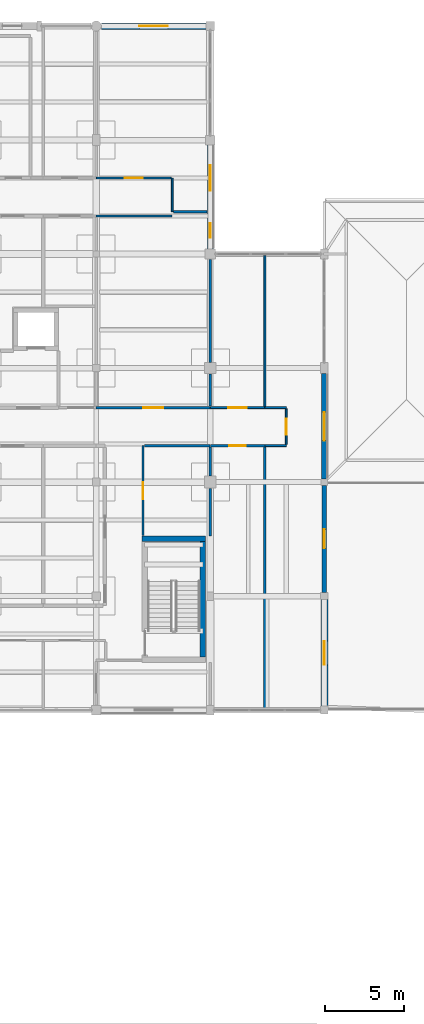
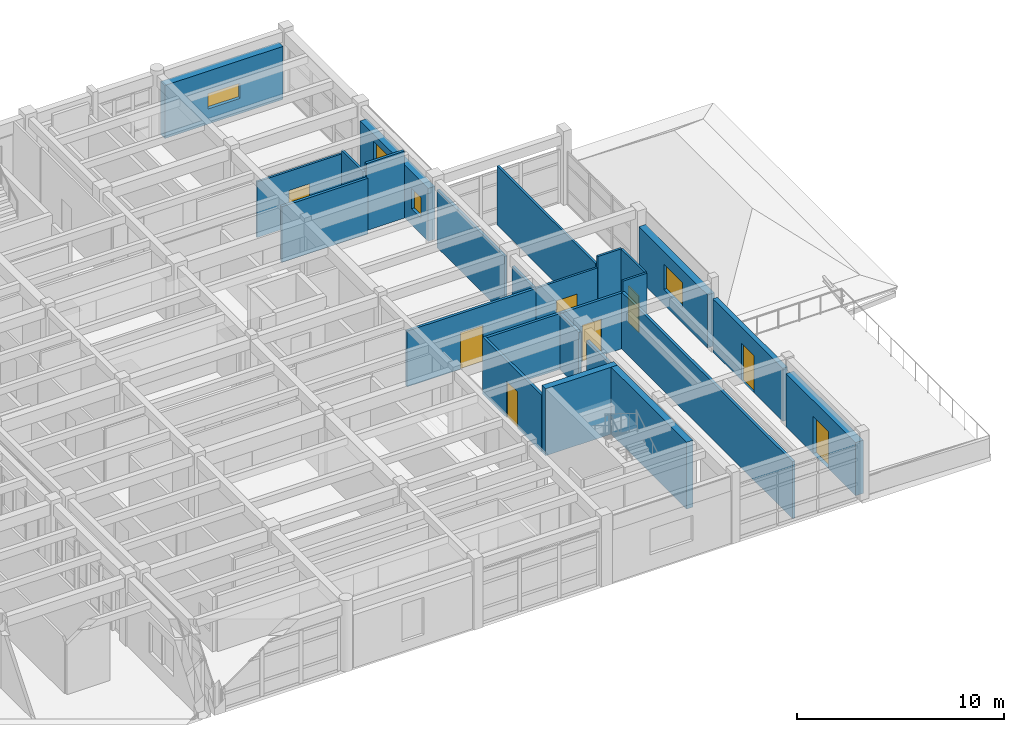
# One storey, part 82 of 100: 25 walls, 8 doors, 4 windows, 12 openings.
"""IFC4 building model written with IfcOpenShell, lengths in metres."""

import ifcopenshell
import ifcopenshell.guid

model = None  # the IFC model being written
_history = None  # IfcOwnerHistory: only IFC2X3 demands one
_inside = {}  # id of a spatial element -> (the spatial element, [elements in it])
_under = {}  # id of a project, library or spatial element -> (it, [spatial elements below it])
_declared = {}  # id of a project -> (the project, [libraries it declares])
_typed = {}  # id of a type object -> (the type object, [elements of that type])
_made_of = {}  # id of a material, layer set ... -> (it, [elements and type objects made of it])


def new_model(schema):
    """Start an empty IFC model of exactly this schema.

    Asked for "IFC4X3", IfcOpenShell would pick the latest addendum, in which some entities
    have other attributes; the version numbers below select the first issue.
    IFC2X3 requires an IfcOwnerHistory on every rooted entity: one is made here for all.
    """
    global model, _history
    if schema == "IFC4X3":
        model = ifcopenshell.file(schema_version=(4, 3, 0, 0))
    else:
        model = ifcopenshell.file(schema=schema)
    _inside.clear()
    _under.clear()
    _declared.clear()
    _typed.clear()
    _made_of.clear()
    _history = None
    if model.schema == "IFC2X3":
        org = make("IfcOrganization", Name="unknown")
        user = make(
            "IfcPersonAndOrganization",
            ThePerson=make("IfcPerson", FamilyName="unknown"),
            TheOrganization=org,
        )
        app = make(
            "IfcApplication",
            ApplicationDeveloper=org,
            Version="unknown",
            ApplicationFullName="unknown",
            ApplicationIdentifier="unknown",
        )
        _history = make(
            "IfcOwnerHistory",
            OwningUser=user,
            OwningApplication=app,
            ChangeAction="ADDED",
            CreationDate=0,
        )
    return model


def make(cls, **values):
    """One entity of the class cls with the attributes given. An attribute that is None is left unset."""
    return model.create_entity(
        cls, **{name: value for name, value in values.items() if value is not None}
    )


def rooted(cls, **values):
    """An entity with a GlobalId (a new one), such as an element, a storey or a relation."""
    return make(cls, GlobalId=ifcopenshell.guid.new(), OwnerHistory=_history, **values)


def si_unit(unit_type, name, prefix=None):
    """IfcSIUnit, for example si_unit("LENGTHUNIT", "METRE", prefix="MILLI")."""
    return make("IfcSIUnit", UnitType=unit_type, Prefix=prefix, Name=name)


def assignment(units):
    """IfcUnitAssignment: the units of a project."""
    return None if units is None else make("IfcUnitAssignment", Units=units)


def point(xyz):
    """IfcCartesianPoint."""
    return None if xyz is None else make("IfcCartesianPoint", Coordinates=xyz)


def direction(xyz):
    """IfcDirection."""
    return None if xyz is None else make("IfcDirection", DirectionRatios=xyz)


def frame(location, z_axis=None, x_axis=None):
    """IfcAxis2Placement3D, a coordinate frame: its origin and axes. An axis left out is left unset."""
    return make(
        "IfcAxis2Placement3D",
        Location=point(location),
        Axis=direction(z_axis),
        RefDirection=direction(x_axis),
    )


def frame_2d(location, x_axis=None):
    """IfcAxis2Placement2D, a coordinate frame in the plane: its origin and x axis."""
    return make(
        "IfcAxis2Placement2D", Location=point(location), RefDirection=direction(x_axis)
    )


def origin():
    """The frame at (0, 0, 0) with its axes left unset."""
    return frame((0.0, 0.0, 0.0))


def place(relative_to, where):
    """IfcLocalPlacement: puts the frame where relative to a parent placement (None: the world)."""
    return make(
        "IfcLocalPlacement", PlacementRelTo=relative_to, RelativePlacement=where
    )


def context(
    kind, dimensions, precision=None, world=None, true_north=None, identifier=None
):
    """IfcGeometricRepresentationContext, for example the 3D "Model" context."""
    return make(
        "IfcGeometricRepresentationContext",
        ContextIdentifier=identifier,
        ContextType=kind,
        CoordinateSpaceDimension=dimensions,
        Precision=precision,
        WorldCoordinateSystem=world,
        TrueNorth=true_north,
    )


def subcontext(parent, identifier, kind, view, scale=None):
    """IfcGeometricRepresentationSubContext, for example "Body" below "Model"."""
    return make(
        "IfcGeometricRepresentationSubContext",
        ContextIdentifier=identifier,
        ContextType=kind,
        ParentContext=parent,
        TargetScale=scale,
        TargetView=view,
    )


def project(units=None, contexts=None):
    """IfcProject with its units and contexts."""
    return rooted(
        "IfcProject",
        Name="project",
        RepresentationContexts=contexts,
        UnitsInContext=assignment(units),
    )


def spatial(cls, under=None, at=None, **own):
    """A site, building, storey or space (cls), placed at a placement, below another one or the project."""
    s = rooted(cls, ObjectPlacement=at, **own)
    if under is not None:
        _under.setdefault(under.id(), (under, []))[1].append(s)
    return s


def profile(cls, at=None, kind="AREA", **sizes):
    """A parametric profile (cls). Its sizes go by their IFC names, for example OverallWidth=200.0."""
    return make(cls, ProfileType=kind, Position=at, **sizes)


def rectangle(**sizes):
    """IfcRectangleProfileDef."""
    return profile("IfcRectangleProfileDef", **sizes)


def extrude(swept, where, along, depth):
    """IfcExtrudedAreaSolid: the profile swept, set in the frame where, extruded along a direction by depth."""
    return make(
        "IfcExtrudedAreaSolid",
        SweptArea=swept,
        Position=where,
        ExtrudedDirection=direction(along),
        Depth=depth,
    )


def shape(context_of_items, identifier, shape_type, items):
    """IfcShapeRepresentation: the items that make up one representation, for example the "Body"."""
    return make(
        "IfcShapeRepresentation",
        ContextOfItems=context_of_items,
        RepresentationIdentifier=identifier,
        RepresentationType=shape_type,
        Items=items,
    )


def material(Name=None, Category=None):
    """IfcMaterial."""
    return make("IfcMaterial", Name=Name, Category=Category)


def layer(
    of_material, thickness, ventilated=None, Name=None, Category=None, Priority=None
):
    """IfcMaterialLayer: one layer of a wall or slab, of a material (None: an air gap)."""
    return make(
        "IfcMaterialLayer",
        Material=of_material,
        LayerThickness=thickness,
        IsVentilated=ventilated,
        Name=Name,
        Category=Category,
        Priority=Priority,
    )


def layer_set(layers, Name=None):
    """IfcMaterialLayerSet."""
    return make("IfcMaterialLayerSet", MaterialLayers=layers, LayerSetName=Name)


def made_of(thing, what):
    """Note that an element or type object is made of a material, layer set ...; save() writes the relation."""
    if what is not None:
        _made_of.setdefault(what.id(), (what, []))[1].append(thing)
    return thing


def type_object(cls, material=None, **own):
    """A type object (cls), such as IfcWallType, which elements share."""
    return made_of(rooted(cls, **own), material)


def element(
    cls,
    number,
    at=None,
    inside=None,
    cuts=None,
    type_object=None,
    material=None,
    context=None,
    identifier="Body",
    shape_type=None,
    held_by="IfcProductDefinitionShape",
    body=None,
    shapes=None,
    **own,
):
    """One element of the class cls, such as IfcWall. Its Tag is "e" and its number.

    at: its placement. inside: the storey or other place that contains it. cuts: it is an
    opening in that element (IfcRelVoidsElement). A single representation is given by context,
    identifier, shape_type and body (its items); several are given by shapes. held_by: the class
    of the entity that holds the representations. save() writes the other relations.
    """
    e = rooted(cls, Tag="e%d" % number, ObjectPlacement=at, **own)
    if body is not None:
        shapes = [shape(context, identifier, shape_type, body)]
    if shapes is not None:
        e.Representation = make(held_by, Representations=shapes)
    if inside is not None:
        _inside.setdefault(inside.id(), (inside, []))[1].append(e)
    if cuts is not None:
        rooted(
            "IfcRelVoidsElement", RelatingBuildingElement=cuts, RelatedOpeningElement=e
        )
    if type_object is not None:
        _typed.setdefault(type_object.id(), (type_object, []))[1].append(e)
    return made_of(e, material)


def fill(opening, filler):
    """IfcRelFillsElement: the door or window that sits in an opening."""
    return rooted(
        "IfcRelFillsElement",
        RelatingOpeningElement=opening,
        RelatedBuildingElement=filler,
    )


def aggregate(whole, parts):
    """IfcRelAggregates: a whole, such as a stair, and the parts it consists of."""
    return rooted("IfcRelAggregates", RelatingObject=whole, RelatedObjects=parts)


def save(model, path):
    """Write the relations noted so far, then the file.

    IfcRelAggregates (storeys below a building ...), IfcRelContainedInSpatialStructure (elements
    in a storey), IfcRelDefinesByType, IfcRelAssociatesMaterial and IfcRelDeclares: one each for
    every whole, place, type object, material and project.
    """
    for whole, parts in _under.values():
        aggregate(whole, parts)
    for where, things in _inside.values():
        rooted(
            "IfcRelContainedInSpatialStructure",
            RelatedElements=things,
            RelatingStructure=where,
        )
    for kind, things in _typed.values():
        rooted("IfcRelDefinesByType", RelatedObjects=things, RelatingType=kind)
    for what, things in _made_of.values():
        rooted("IfcRelAssociatesMaterial", RelatedObjects=things, RelatingMaterial=what)
    for by, libraries in _declared.values():
        rooted("IfcRelDeclares", RelatingContext=by, RelatedDefinitions=libraries)
    model.write(path)


model = new_model("IFC4")

# Units and contexts
model_context = context("Model", 3, precision=1e-05, world=origin(), true_north=direction((0.0, 1.0)))
body_context = subcontext(model_context, "Body", "Model", "MODEL_VIEW")
ifc_project = project(units=[si_unit("LENGTHUNIT", "METRE"), si_unit("AREAUNIT", "SQUARE_METRE"), si_unit("VOLUMEUNIT", "CUBIC_METRE"), si_unit("PLANEANGLEUNIT", "RADIAN"), si_unit("MASSUNIT", "GRAM", prefix="KILO")], contexts=[model_context])

# Site, building, storey
site_placement = place(None, origin())
site = spatial("IfcSite", under=ifc_project, at=site_placement, CompositionType="ELEMENT")
building_placement = place(site_placement, origin())
building = spatial("IfcBuilding", under=site, at=building_placement, Name="Steenspoor Specialist Clinic", CompositionType="ELEMENT")
storey_placement = place(building_placement, frame((0.0, 0.0, 9.0)))
storey = spatial("IfcBuildingStorey", under=building, at=storey_placement, Name="L02", CompositionType="ELEMENT", Elevation=9.0)

# Wall, opening, window
ifc_material_1 = material(Name="Extruded clay brick masonry", Category="masonry")
ifc_layer_1 = layer(ifc_material_1, 0.3798828125)
ifc_layer_set_1 = layer_set([ifc_layer_1], Name="Extruded clay brick masonry")
wall_type_1 = type_object("IfcWallType", Name="W-BRICK-380", PredefinedType="USERDEFINED", material=ifc_layer_set_1)
wall_1_placement = place(storey_placement, frame((154.0, 86.39990234375, 0.0), z_axis=(0.0, 0.0, 1.0), x_axis=(0.0, -1.0, 0.0)))
wall_1 = element("IfcWall", 1, at=wall_1_placement, inside=storey, type_object=wall_type_1, Name="Exterior Brick Wall EW-V6-L02-0324", ObjectType="CAVITY VENEER", PredefinedType="USERDEFINED", context=body_context, shape_type="SweptSolid", body=[
    extrude(rectangle(XDim=6.64990234375, YDim=0.3798828125, at=frame_2d((3.324951171875, 0.0))), origin(), (0.0, 0.0, 1.0), 3.1298828125),
])
opening_1_placement = place(wall_1_placement, frame((2.425048828125, 0.0, 0.89990234375)))
opening_1 = element("IfcOpeningElement", 2, at=opening_1_placement, cuts=wall_1, Name="Opening WN-13", PredefinedType="OPENING", context=body_context, shape_type="SweptSolid", body=[
    extrude(rectangle(XDim=1.800048828125, YDim=1.5, at=frame_2d((0.89990234375, 0.75))), frame((0.0, 0.199951171875, 0.0), z_axis=(0.0, -1.0, 0.0), x_axis=(1.0, 0.0, 0.0)), (0.0, 0.0, 1.0), 0.39990234375),
])
ifc_material_2 = material(Name="Thermally broken aluminium and low-emissivity glass", Category="aluminium")
window_type_1 = type_object("IfcWindowType", Name="WN-EXT-180X150", PartitioningType="SINGLE_PANEL", PredefinedType="WINDOW", material=ifc_material_2)
window_1_placement = place(opening_1_placement, origin())
window_1 = element("IfcWindow", 3, at=window_1_placement, inside=storey, type_object=window_type_1, Name="Window 0347", OverallHeight=1.5, OverallWidth=1.800048828125, PartitioningType="SINGLE_PANEL", PredefinedType="WINDOW", context=body_context, shape_type="SweptSolid", body=[
    extrude(rectangle(XDim=1.800048828125, YDim=1.5, at=frame_2d((0.89990234375, 0.75))), frame((0.0, 0.030029296875, 0.0), z_axis=(0.0, -1.0, 0.0), x_axis=(1.0, 0.0, 0.0)), (0.0, 0.0, 1.0), 0.06005859375),
])
fill(opening_1, window_1)

# Wall, openings, windows
wall_2_placement = place(storey_placement, frame((146.800048828125, 100.85009765625, 0.0), z_axis=(0.0, 0.0, 1.0), x_axis=(0.0, -1.0, 0.0)))
wall_2 = element("IfcWall", 4, at=wall_2_placement, inside=storey, type_object=wall_type_1, Name="Exterior Brick Wall EW-V6-L02-0336", ObjectType="CAVITY VENEER", PredefinedType="USERDEFINED", context=body_context, shape_type="SweptSolid", body=[
    extrude(rectangle(XDim=6.5751953125, YDim=0.3798828125, at=frame_2d((3.28759765625, 0.0))), origin(), (0.0, 0.0, 1.0), 3.1298828125),
])
opening_2_placement = place(wall_2_placement, frame((1.300048828125, 0.0, 0.89990234375)))
opening_2 = element("IfcOpeningElement", 5, at=opening_2_placement, cuts=wall_2, Name="Opening WN-07", PredefinedType="OPENING", context=body_context, shape_type="SweptSolid", body=[
    extrude(rectangle(XDim=1.60009765625, YDim=1.800048828125, at=frame_2d((0.800048828125, 0.89990234375))), frame((0.0, 0.199951171875, 0.0), z_axis=(0.0, -1.0, 0.0), x_axis=(1.0, 0.0, 0.0)), (0.0, 0.0, 1.0), 0.39990234375),
])
opening_3_placement = place(wall_2_placement, frame((4.95751953125, 0.0, 0.949951171875)))
opening_3 = element("IfcOpeningElement", 6, at=opening_3_placement, cuts=wall_2, Name="Opening WN-21", PredefinedType="OPENING", context=body_context, shape_type="SweptSolid", body=[
    extrude(rectangle(XDim=0.89990234375, YDim=1.199951171875, at=frame_2d((0.449951171875, 0.60009765625))), frame((0.0, 0.199951171875, 0.0), z_axis=(0.0, -1.0, 0.0), x_axis=(1.0, 0.0, 0.0)), (0.0, 0.0, 1.0), 0.39990234375),
])
window_type_2 = type_object("IfcWindowType", Name="WN-EXT-090X120", PartitioningType="SINGLE_PANEL", PredefinedType="WINDOW", material=ifc_material_2)
window_2_placement = place(opening_3_placement, origin())
window_2 = element("IfcWindow", 7, at=window_2_placement, inside=storey, type_object=window_type_2, Name="Window 0358", OverallHeight=1.199951171875, OverallWidth=0.89990234375, PartitioningType="SINGLE_PANEL", PredefinedType="WINDOW", context=body_context, shape_type="SweptSolid", body=[
    extrude(rectangle(XDim=0.89990234375, YDim=1.199951171875, at=frame_2d((0.449951171875, 0.60009765625))), frame((0.0, 0.030029296875, 0.0), z_axis=(0.0, -1.0, 0.0), x_axis=(1.0, 0.0, 0.0)), (0.0, 0.0, 1.0), 0.06005859375),
])
fill(opening_3, window_2)
window_type_3 = type_object("IfcWindowType", Name="WN-EXT-160X180", PartitioningType="SINGLE_PANEL", PredefinedType="WINDOW", material=ifc_material_2)
window_3_placement = place(opening_2_placement, origin())
window_3 = element("IfcWindow", 8, at=window_3_placement, inside=storey, type_object=window_type_3, Name="Window 0357", OverallHeight=1.800048828125, OverallWidth=1.60009765625, PartitioningType="SINGLE_PANEL", PredefinedType="WINDOW", context=body_context, shape_type="SweptSolid", body=[
    extrude(rectangle(XDim=1.60009765625, YDim=1.800048828125, at=frame_2d((0.800048828125, 0.89990234375))), frame((0.0, 0.030029296875, 0.0), z_axis=(0.0, -1.0, 0.0), x_axis=(1.0, 0.0, 0.0)), (0.0, 0.0, 1.0), 0.06005859375),
])
fill(opening_2, window_3)

# Wall, opening, window
ifc_layer_2 = layer(ifc_material_1, 0.409912109375)
ifc_layer_set_2 = layer_set([ifc_layer_2], Name="Extruded clay brick masonry")
wall_type_2 = type_object("IfcWallType", Name="W-BRICK-410", PredefinedType="USERDEFINED", material=ifc_layer_set_2)
wall_3_placement = place(storey_placement, frame((139.925048828125, 108.35009765625, 0.0), z_axis=(0.0, 0.0, 1.0), x_axis=(1.0, 0.0, 0.0)))
wall_3 = element("IfcWall", 9, at=wall_3_placement, inside=storey, type_object=wall_type_2, Name="Exterior Brick Wall EW-V6-L02-0335", ObjectType="CAVITY VENEER", PredefinedType="USERDEFINED", context=body_context, shape_type="SweptSolid", body=[
    extrude(rectangle(XDim=6.599853515625, YDim=0.409912109375, at=frame_2d((3.2998046875, 0.0))), origin(), (0.0, 0.0, 1.0), 3.1298828125),
])
opening_4_placement = place(wall_3_placement, frame((2.39990234375, 0.0, 0.89990234375)))
opening_4 = element("IfcOpeningElement", 10, at=opening_4_placement, cuts=wall_3, Name="Opening WN-22", PredefinedType="OPENING", context=body_context, shape_type="SweptSolid", body=[
    extrude(rectangle(XDim=1.800048828125, YDim=0.89990234375, at=frame_2d((0.89990234375, 0.449951171875))), frame((0.0, 0.21484375, 0.0), z_axis=(0.0, -1.0, 0.0), x_axis=(1.0, 0.0, 0.0)), (0.0, 0.0, 1.0), 0.429931640625),
])
window_type_4 = type_object("IfcWindowType", Name="WN-EXT-180X090", PartitioningType="SINGLE_PANEL", PredefinedType="WINDOW", material=ifc_material_2)
window_4_placement = place(opening_4_placement, origin())
window_4 = element("IfcWindow", 11, at=window_4_placement, inside=storey, type_object=window_type_4, Name="Window 0356", OverallHeight=0.89990234375, OverallWidth=1.800048828125, PartitioningType="SINGLE_PANEL", PredefinedType="WINDOW", context=body_context, shape_type="SweptSolid", body=[
    extrude(rectangle(XDim=1.800048828125, YDim=0.89990234375, at=frame_2d((0.89990234375, 0.449951171875))), frame((0.0, 0.030029296875, 0.0), z_axis=(0.0, -1.0, 0.0), x_axis=(1.0, 0.0, 0.0)), (0.0, 0.0, 1.0), 0.06005859375),
])
fill(opening_4, window_4)

# Wall, opening, door
ifc_layer_3 = layer(ifc_material_1, 0.43994140625)
ifc_layer_set_3 = layer_set([ifc_layer_3], Name="Extruded clay brick masonry")
wall_type_3 = type_object("IfcWallType", Name="W-BRICK-440", PredefinedType="USERDEFINED", material=ifc_layer_set_3)
wall_4_placement = place(storey_placement, frame((154.0, 72.125, 0.0), z_axis=(0.0, 0.0, 1.0), x_axis=(0.0, -1.0, 0.0)))
wall_4 = element("IfcWall", 12, at=wall_4_placement, inside=storey, type_object=wall_type_3, Name="Exterior Brick Wall EW-V6-L02-0326", ObjectType="CAVITY VENEER", PredefinedType="USERDEFINED", context=body_context, shape_type="SweptSolid", body=[
    extrude(rectangle(XDim=6.72509765625, YDim=0.43994140625, at=frame_2d((3.362548828125, 0.0))), origin(), (0.0, 0.0, 1.0), 3.1298828125),
])
opening_5_placement = place(wall_4_placement, frame((2.612548828125, 0.0, 0.0)))
opening_5 = element("IfcOpeningElement", 13, at=opening_5_placement, cuts=wall_4, Name="Opening ED41", PredefinedType="OPENING", context=body_context, shape_type="SweptSolid", body=[
    extrude(rectangle(XDim=1.5, YDim=2.199951171875, at=frame_2d((0.75, 1.10009765625))), frame((0.0, 0.22998046875, 0.0), z_axis=(0.0, -1.0, 0.0), x_axis=(1.0, 0.0, 0.0)), (0.0, 0.0, 1.0), 0.4599609375),
])
ifc_material_3 = material(Name="Anodised aluminium and safety glass", Category="aluminium")
door_type_1 = type_object("IfcDoorType", Name="DT-TERR-150X220", OperationType="NOTDEFINED", PredefinedType="DOOR", material=ifc_material_3)
door_1_placement = place(opening_5_placement, origin())
door_1 = element("IfcDoor", 14, at=door_1_placement, inside=storey, type_object=door_type_1, Name="Roof Terrace Door ED41", OperationType="SINGLE_SWING_RIGHT", OverallHeight=2.199951171875, OverallWidth=1.5, PredefinedType="DOOR", context=body_context, shape_type="SweptSolid", body=[
    extrude(rectangle(XDim=1.5, YDim=2.199951171875, at=frame_2d((0.75, 1.10009765625))), frame((0.0, 0.02490234375, 0.0), z_axis=(0.0, -1.0, 0.0), x_axis=(1.0, 0.0, 0.0)), (0.0, 0.0, 1.0), 0.050048828125),
])
fill(opening_5, door_1)

ifc_material_4 = material(Name="Gypsum acoustic clinical partition", Category="gypsum")
ifc_layer_4 = layer(ifc_material_4, 0.14990234375)
ifc_layer_set_4 = layer_set([ifc_layer_4], Name="Gypsum acoustic clinical partition")
wall_type_4 = type_object("IfcWallType", Name="W-CLIN-150", PredefinedType="PARTITIONING", material=ifc_layer_set_4)
wall_5_placement = place(storey_placement, frame((146.800048828125, 81.85009765625, 0.0), z_axis=(0.0, 0.0, 1.0), x_axis=(1.0, 0.0, 0.0)))
wall_5 = element("IfcWall", 15, at=wall_5_placement, inside=storey, type_object=wall_type_4, Name="Interior Partition IW-V6-L02-1365", PredefinedType="PARTITIONING", context=body_context, shape_type="SweptSolid", body=[
    extrude(rectangle(XDim=3.449951171875, YDim=0.14990234375, at=frame_2d((1.72509765625, 0.0))), origin(), (0.0, 0.0, 1.0), 3.284912109375),
])
opening_6_placement = place(wall_5_placement, frame((1.199951171875, 0.0, 0.0)))
opening_6 = element("IfcOpeningElement", 16, at=opening_6_placement, cuts=wall_5, Name="Opening D0460", PredefinedType="OPENING", context=body_context, shape_type="SweptSolid", body=[
    extrude(rectangle(XDim=1.050048828125, YDim=2.14990234375, at=frame_2d((0.52490234375, 1.074951171875))), frame((0.0, 0.0849609375, 0.0), z_axis=(0.0, -1.0, 0.0), x_axis=(1.0, 0.0, 0.0)), (0.0, 0.0, 1.0), 0.169921875),
])
ifc_material_5 = material(Name="Solid-core hardwood office door", Category="wood")
door_type_2 = type_object("IfcDoorType", Name="DT-OFF-105X215", OperationType="NOTDEFINED", PredefinedType="DOOR", material=ifc_material_5)
door_2_placement = place(opening_6_placement, origin())
door_2 = element("IfcDoor", 17, at=door_2_placement, inside=storey, type_object=door_type_2, Name="Clinical Door D0460", OperationType="SINGLE_SWING_LEFT", OverallHeight=2.14990234375, OverallWidth=1.050048828125, PredefinedType="DOOR", context=body_context, shape_type="SweptSolid", body=[
    extrude(rectangle(XDim=1.050048828125, YDim=2.14990234375, at=frame_2d((0.52490234375, 1.074951171875))), frame((0.0, 0.02490234375, 0.0), z_axis=(0.0, -1.0, 0.0), x_axis=(1.0, 0.0, 0.0)), (0.0, 0.0, 1.0), 0.050048828125),
])
fill(opening_6, door_2)

wall_6_placement = place(storey_placement, frame((142.550048828125, 76.1650390625, 0.0), z_axis=(0.0, 0.0, 1.0), x_axis=(0.0, 1.0, 0.0)))
wall_6 = element("IfcWall", 18, at=wall_6_placement, inside=storey, type_object=wall_type_4, Name="Interior Partition IW-V6-L02-1369", PredefinedType="PARTITIONING", context=body_context, shape_type="SweptSolid", body=[
    extrude(rectangle(XDim=5.68505859375, YDim=0.14990234375, at=frame_2d((2.842529296875, 0.0))), origin(), (0.0, 0.0, 1.0), 3.35498046875),
])
opening_7_placement = place(wall_6_placement, frame((2.3173828125, 0.0, 0.0)))
opening_7 = element("IfcOpeningElement", 19, at=opening_7_placement, cuts=wall_6, Name="Opening D0466", PredefinedType="OPENING", context=body_context, shape_type="SweptSolid", body=[
    extrude(rectangle(XDim=1.050048828125, YDim=2.14990234375, at=frame_2d((0.52490234375, 1.074951171875))), frame((0.0, 0.0849609375, 0.0), z_axis=(0.0, -1.0, 0.0), x_axis=(1.0, 0.0, 0.0)), (0.0, 0.0, 1.0), 0.169921875),
])
door_3_placement = place(opening_7_placement, origin())
door_3 = element("IfcDoor", 20, at=door_3_placement, inside=storey, type_object=door_type_2, Name="Clinical Door D0466", OperationType="SINGLE_SWING_LEFT", OverallHeight=2.14990234375, OverallWidth=1.050048828125, PredefinedType="DOOR", context=body_context, shape_type="SweptSolid", body=[
    extrude(rectangle(XDim=1.050048828125, YDim=2.14990234375, at=frame_2d((0.52490234375, 1.074951171875))), frame((0.0, 0.02490234375, 0.0), z_axis=(0.0, -1.0, 0.0), x_axis=(1.0, 0.0, 0.0)), (0.0, 0.0, 1.0), 0.050048828125),
])
fill(opening_7, door_3)

# Wall
wall_7_placement = place(storey_placement, frame((142.639892578125, 81.85009765625, 0.0), z_axis=(0.0, 0.0, 1.0), x_axis=(1.0, 0.0, 0.0)))
element("IfcWall", 21, at=wall_7_placement, inside=storey, type_object=wall_type_4, Name="Interior Partition IW-V6-L02-1370", PredefinedType="PARTITIONING", context=body_context, shape_type="SweptSolid", body=[
    extrude(rectangle(XDim=4.14501953125, YDim=0.14990234375, at=frame_2d((2.072509765625, 0.0))), origin(), (0.0, 0.0, 1.0), 3.284912109375),
])

# Wall, opening, door
wall_8_placement = place(storey_placement, frame((139.60009765625, 84.25, 0.0), z_axis=(0.0, 0.0, 1.0), x_axis=(1.0, 0.0, 0.0)))
wall_8 = element("IfcWall", 22, at=wall_8_placement, inside=storey, type_object=wall_type_4, Name="Interior Partition IW-V6-L02-1373", PredefinedType="PARTITIONING", context=body_context, shape_type="SweptSolid", body=[
    extrude(rectangle(XDim=7.199951171875, YDim=0.14990234375, at=frame_2d((3.60009765625, 0.0))), origin(), (0.0, 0.0, 1.0), 3.284912109375),
])
opening_8_placement = place(wall_8_placement, frame((2.97509765625, 0.0, 0.0)))
opening_8 = element("IfcOpeningElement", 23, at=opening_8_placement, cuts=wall_8, Name="Opening D0470", PredefinedType="OPENING", context=body_context, shape_type="SweptSolid", body=[
    extrude(rectangle(XDim=1.25, YDim=2.14990234375, at=frame_2d((0.625, 1.074951171875))), frame((0.0, 0.0849609375, 0.0), z_axis=(0.0, -1.0, 0.0), x_axis=(1.0, 0.0, 0.0)), (0.0, 0.0, 1.0), 0.169921875),
])
ifc_material_6 = material(Name="Hygienic HPL clinical timber door", Category="wood")
door_type_3 = type_object("IfcDoorType", Name="DT-EXAM-125X215", OperationType="NOTDEFINED", PredefinedType="DOOR", material=ifc_material_6)
door_4_placement = place(opening_8_placement, origin())
door_4 = element("IfcDoor", 24, at=door_4_placement, inside=storey, type_object=door_type_3, Name="Clinical Door D0470", OperationType="SINGLE_SWING_LEFT", OverallHeight=2.14990234375, OverallWidth=1.25, PredefinedType="DOOR", context=body_context, shape_type="SweptSolid", body=[
    extrude(rectangle(XDim=1.25, YDim=2.14990234375, at=frame_2d((0.625, 1.074951171875))), frame((0.0, 0.02490234375, 0.0), z_axis=(0.0, -1.0, 0.0), x_axis=(1.0, 0.0, 0.0)), (0.0, 0.0, 1.0), 0.050048828125),
])
fill(opening_8, door_4)

# Walls
wall_9_placement = place(storey_placement, frame((139.60009765625, 96.35009765625, 0.0), z_axis=(0.0, 0.0, 1.0), x_axis=(1.0, 0.0, 0.0)))
element("IfcWall", 25, at=wall_9_placement, inside=storey, type_object=wall_type_4, Name="Interior Partition IW-V6-L02-1374", PredefinedType="PARTITIONING", context=body_context, shape_type="SweptSolid", body=[
    extrude(rectangle(XDim=4.7998046875, YDim=0.14990234375, at=frame_2d((2.39990234375, 0.0))), origin(), (0.0, 0.0, 1.0), 3.284912109375),
])
wall_10_placement = place(storey_placement, frame((150.25, 65.2548828125, 0.0), z_axis=(0.0, 0.0, 1.0), x_axis=(0.0, 1.0, 0.0)))
element("IfcWall", 26, at=wall_10_placement, inside=storey, type_object=wall_type_4, Name="Interior Partition IW-V6-L02-1487", PredefinedType="PARTITIONING", context=body_context, shape_type="SweptSolid", body=[
    extrude(rectangle(XDim=16.505126953125, YDim=0.14990234375, at=frame_2d((8.25244140625, 0.0))), origin(), (0.0, 0.0, 1.0), 3.35498046875),
])
wall_11_placement = place(storey_placement, frame((146.800048828125, 76.14990234375, 0.0), z_axis=(0.0, 0.0, 1.0), x_axis=(0.0, 1.0, 0.0)))
element("IfcWall", 27, at=wall_11_placement, inside=storey, type_object=wall_type_4, Name="Interior Partition IW-V6-L02-1488", PredefinedType="PARTITIONING", context=body_context, shape_type="SweptSolid", body=[
    extrude(rectangle(XDim=3.010009765625, YDim=0.14990234375, at=frame_2d((1.5048828125, 0.0))), origin(), (0.0, 0.0, 1.0), 3.284912109375),
])
wall_12_placement = place(storey_placement, frame((146.800048828125, 79.93994140625, 0.0), z_axis=(0.0, 0.0, 1.0), x_axis=(0.0, 1.0, 0.0)))
element("IfcWall", 28, at=wall_12_placement, inside=storey, type_object=wall_type_4, Name="Interior Partition IW-V6-L02-1489", PredefinedType="PARTITIONING", context=body_context, shape_type="SweptSolid", body=[
    extrude(rectangle(XDim=1.820068359375, YDim=0.14990234375, at=frame_2d((0.91015625, 0.0))), origin(), (0.0, 0.0, 1.0), 3.284912109375),
])
wall_13_placement = place(storey_placement, frame((144.47509765625, 96.6298828125, 0.0), z_axis=(0.0, 0.0, 1.0), x_axis=(1.0, 0.0, 0.0)))
element("IfcWall", 29, at=wall_13_placement, inside=storey, type_object=wall_type_4, Name="Interior Partition IW-V6-L02-1499", PredefinedType="PARTITIONING", context=body_context, shape_type="SweptSolid", body=[
    extrude(rectangle(XDim=2.119873046875, YDim=0.14990234375, at=frame_2d((1.06005859375, 0.0))), origin(), (0.0, 0.0, 1.0), 3.949951171875),
])
wall_14_placement = place(storey_placement, frame((146.800048828125, 84.340087890625, 0.0), z_axis=(0.0, 0.0, 1.0), x_axis=(0.0, 1.0, 0.0)))
element("IfcWall", 30, at=wall_14_placement, inside=storey, type_object=wall_type_4, Name="Interior Partition IW-V6-L02-1500", PredefinedType="PARTITIONING", context=body_context, shape_type="SweptSolid", body=[
    extrude(rectangle(XDim=2.044921875, YDim=0.14990234375, at=frame_2d((1.0224609375, 0.0))), origin(), (0.0, 0.0, 1.0), 3.284912109375),
])
wall_15_placement = place(storey_placement, frame((146.800048828125, 87.114990234375, 0.0), z_axis=(0.0, 0.0, 1.0), x_axis=(0.0, 1.0, 0.0)))
element("IfcWall", 31, at=wall_15_placement, inside=storey, type_object=wall_type_4, Name="Interior Partition IW-V6-L02-1501", PredefinedType="PARTITIONING", context=body_context, shape_type="SweptSolid", body=[
    extrude(rectangle(XDim=6.4951171875, YDim=0.14990234375, at=frame_2d((3.24755859375, 0.0))), origin(), (0.0, 0.0, 1.0), 3.4150390625),
])
ifc_material_7 = material(Name="Gypsum studio partition board", Category="gypsum")
ifc_layer_5 = layer(ifc_material_7, 0.1201171875)
ifc_layer_set_5 = layer_set([ifc_layer_5], Name="Gypsum studio partition board")
wall_type_5 = type_object("IfcWallType", Name="W-PART-120", PredefinedType="PARTITIONING", material=ifc_layer_set_5)
wall_16_placement = place(storey_placement, frame((150.25, 84.25, 0.0), z_axis=(0.0, 0.0, 1.0), x_axis=(1.0, 0.0, 0.0)))
element("IfcWall", 32, at=wall_16_placement, inside=storey, type_object=wall_type_5, Name="Interior Partition IW-V6-L02-1402", PredefinedType="PARTITIONING", context=body_context, shape_type="SweptSolid", body=[
    extrude(rectangle(XDim=1.35009765625, YDim=0.1201171875, at=frame_2d((0.675048828125, 0.0))), origin(), (0.0, 0.0, 1.0), 3.949951171875),
])
wall_17_placement = place(storey_placement, frame((150.264892578125, 81.85009765625, 0.0), z_axis=(0.0, 0.0, 1.0), x_axis=(1.0, 0.0, 0.0)))
element("IfcWall", 33, at=wall_17_placement, inside=storey, type_object=wall_type_5, Name="Interior Partition IW-V6-L02-1403", PredefinedType="PARTITIONING", context=body_context, shape_type="SweptSolid", body=[
    extrude(rectangle(XDim=1.335205078125, YDim=0.1201171875, at=frame_2d((0.66748046875, 0.0))), origin(), (0.0, 0.0, 1.0), 3.949951171875),
])

# Wall, opening, door
wall_18_placement = place(storey_placement, frame((151.60009765625, 81.925048828125, 0.0), z_axis=(0.0, 0.0, 1.0), x_axis=(0.0, 1.0, 0.0)))
wall_18 = element("IfcWall", 34, at=wall_18_placement, inside=storey, type_object=wall_type_5, Name="Interior Partition IW-V6-L02-1404", PredefinedType="PARTITIONING", context=body_context, shape_type="SweptSolid", body=[
    extrude(rectangle(XDim=2.25, YDim=0.1201171875, at=frame_2d((1.125, 0.0))), origin(), (0.0, 0.0, 1.0), 3.949951171875),
])
opening_9_placement = place(wall_18_placement, frame((0.625, 0.0, 0.0)))
opening_9 = element("IfcOpeningElement", 35, at=opening_9_placement, cuts=wall_18, Name="Opening D0461", PredefinedType="OPENING", context=body_context, shape_type="SweptSolid", body=[
    extrude(rectangle(XDim=1.0, YDim=2.14990234375, at=frame_2d((0.5, 1.074951171875))), frame((0.0, 0.070068359375, 0.0), z_axis=(0.0, -1.0, 0.0), x_axis=(1.0, 0.0, 0.0)), (0.0, 0.0, 1.0), 0.14013671875),
])
ifc_material_8 = material(Name="Moisture-resistant HPL accessible WC door", Category="wood")
door_type_4 = type_object("IfcDoorType", Name="DT-AWC-100X215", OperationType="NOTDEFINED", PredefinedType="DOOR", material=ifc_material_8)
door_5_placement = place(opening_9_placement, origin())
door_5 = element("IfcDoor", 36, at=door_5_placement, inside=storey, type_object=door_type_4, Name="Clinical Door D0461", OperationType="SINGLE_SWING_RIGHT", OverallHeight=2.14990234375, OverallWidth=1.0, PredefinedType="DOOR", context=body_context, shape_type="SweptSolid", body=[
    extrude(rectangle(XDim=1.0, YDim=2.14990234375, at=frame_2d((0.5, 1.074951171875))), frame((0.0, 0.02490234375, 0.0), z_axis=(0.0, -1.0, 0.0), x_axis=(1.0, 0.0, 0.0)), (0.0, 0.0, 1.0), 0.050048828125),
])
fill(opening_9, door_5)

wall_19_placement = place(storey_placement, frame((146.81494140625, 84.25, 0.0), z_axis=(0.0, 0.0, 1.0), x_axis=(1.0, 0.0, 0.0)))
wall_19 = element("IfcWall", 37, at=wall_19_placement, inside=storey, type_object=wall_type_5, Name="Interior Partition IW-V6-L02-1410", PredefinedType="PARTITIONING", context=body_context, shape_type="SweptSolid", body=[
    extrude(rectangle(XDim=3.420166015625, YDim=0.1201171875, at=frame_2d((1.7099609375, 0.0))), origin(), (0.0, 0.0, 1.0), 3.284912109375),
])
opening_10_placement = place(wall_19_placement, frame((1.135009765625, 0.0, 0.0)))
opening_10 = element("IfcOpeningElement", 38, at=opening_10_placement, cuts=wall_19, Name="Opening D0471", PredefinedType="OPENING", context=body_context, shape_type="SweptSolid", body=[
    extrude(rectangle(XDim=1.14990234375, YDim=2.14990234375, at=frame_2d((0.574951171875, 1.074951171875))), frame((0.0, 0.070068359375, 0.0), z_axis=(0.0, -1.0, 0.0), x_axis=(1.0, 0.0, 0.0)), (0.0, 0.0, 1.0), 0.14013671875),
])
ifc_material_9 = material(Name="Solid-core hardwood clinical door", Category="wood")
door_type_5 = type_object("IfcDoorType", Name="DT-CONS-115X215", OperationType="NOTDEFINED", PredefinedType="DOOR", material=ifc_material_9)
door_6_placement = place(opening_10_placement, origin())
door_6 = element("IfcDoor", 39, at=door_6_placement, inside=storey, type_object=door_type_5, Name="Clinical Door D0471", OperationType="SINGLE_SWING_RIGHT", OverallHeight=2.14990234375, OverallWidth=1.14990234375, PredefinedType="DOOR", context=body_context, shape_type="SweptSolid", body=[
    extrude(rectangle(XDim=1.14990234375, YDim=2.14990234375, at=frame_2d((0.574951171875, 1.074951171875))), frame((0.0, 0.02490234375, 0.0), z_axis=(0.0, -1.0, 0.0), x_axis=(1.0, 0.0, 0.0)), (0.0, 0.0, 1.0), 0.050048828125),
])
fill(opening_10, door_6)

# Wall
wall_20_placement = place(storey_placement, frame((144.39990234375, 96.6298828125, 0.0), z_axis=(0.0, 0.0, 1.0), x_axis=(0.0, 1.0, 0.0)))
element("IfcWall", 40, at=wall_20_placement, inside=storey, type_object=wall_type_5, Name="Interior Partition IW-V6-L02-1413", PredefinedType="PARTITIONING", context=body_context, shape_type="SweptSolid", body=[
    extrude(rectangle(XDim=2.1201171875, YDim=0.1201171875, at=frame_2d((1.06005859375, 0.0))), origin(), (0.0, 0.0, 1.0), 3.47509765625),
])

# Wall, opening, door
wall_21_placement = place(storey_placement, frame((139.614990234375, 98.75, 0.0), z_axis=(0.0, 0.0, 1.0), x_axis=(1.0, 0.0, 0.0)))
wall_21 = element("IfcWall", 41, at=wall_21_placement, inside=storey, type_object=wall_type_5, Name="Interior Partition IW-V6-L02-1414", PredefinedType="PARTITIONING", context=body_context, shape_type="SweptSolid", body=[
    extrude(rectangle(XDim=4.7099609375, YDim=0.1201171875, at=frame_2d((2.35498046875, 0.0))), origin(), (0.0, 0.0, 1.0), 3.284912109375),
])
opening_11_placement = place(wall_21_placement, frame((1.780029296875, 0.0, 0.0)))
opening_11 = element("IfcOpeningElement", 42, at=opening_11_placement, cuts=wall_21, Name="Opening D0477", PredefinedType="OPENING", context=body_context, shape_type="SweptSolid", body=[
    extrude(rectangle(XDim=1.14990234375, YDim=2.14990234375, at=frame_2d((0.574951171875, 1.074951171875))), frame((0.0, 0.070068359375, 0.0), z_axis=(0.0, -1.0, 0.0), x_axis=(1.0, 0.0, 0.0)), (0.0, 0.0, 1.0), 0.14013671875),
])
door_7_placement = place(opening_11_placement, origin())
door_7 = element("IfcDoor", 43, at=door_7_placement, inside=storey, type_object=door_type_5, Name="Clinical Door D0477", OperationType="SINGLE_SWING_RIGHT", OverallHeight=2.14990234375, OverallWidth=1.14990234375, PredefinedType="DOOR", context=body_context, shape_type="SweptSolid", body=[
    extrude(rectangle(XDim=1.14990234375, YDim=2.14990234375, at=frame_2d((0.574951171875, 1.074951171875))), frame((0.0, 0.02490234375, 0.0), z_axis=(0.0, -1.0, 0.0), x_axis=(1.0, 0.0, 0.0)), (0.0, 0.0, 1.0), 0.050048828125),
])
fill(opening_11, door_7)

# Wall
wall_22_placement = place(storey_placement, frame((150.25, 84.324951171875, 0.0), z_axis=(0.0, 0.0, 1.0), x_axis=(0.0, 1.0, 0.0)))
element("IfcWall", 44, at=wall_22_placement, inside=storey, type_object=wall_type_5, Name="Interior Partition IW-V6-L02-1512", PredefinedType="PARTITIONING", context=body_context, shape_type="SweptSolid", body=[
    extrude(rectangle(XDim=9.52001953125, YDim=0.1201171875, at=frame_2d((4.760009765625, 0.0))), origin(), (0.0, 0.0, 1.0), 3.47998046875),
])

# Wall, opening, door
ifc_layer_6 = layer(ifc_material_1, 0.260009765625)
ifc_layer_set_6 = layer_set([ifc_layer_6], Name="Extruded clay brick masonry")
wall_type_6 = type_object("IfcWallType", Name="W-SCREEN-260", PredefinedType="SOLIDWALL", material=ifc_layer_set_6)
wall_23_placement = place(storey_placement, frame((154.0, 79.35009765625, 0.0), z_axis=(0.0, 0.0, 1.0), x_axis=(0.0, -1.0, 0.0)))
wall_23 = element("IfcWall", 45, at=wall_23_placement, inside=storey, type_object=wall_type_6, Name="Exterior Brick Wall EW-V6-L02-0325", PredefinedType="SOLIDWALL", context=body_context, shape_type="SweptSolid", body=[
    extrude(rectangle(XDim=6.775146484375, YDim=0.260009765625, at=frame_2d((3.3876953125, 0.0))), origin(), (0.0, 0.0, 1.0), 3.1298828125),
])
opening_12_placement = place(wall_23_placement, frame((2.78759765625, 0.0, 0.0)))
opening_12 = element("IfcOpeningElement", 46, at=opening_12_placement, cuts=wall_23, Name="Opening ED40", PredefinedType="OPENING", context=body_context, shape_type="SweptSolid", body=[
    extrude(rectangle(XDim=1.199951171875, YDim=2.199951171875, at=frame_2d((0.60009765625, 1.10009765625))), frame((0.0, 0.14013671875, 0.0), z_axis=(0.0, -1.0, 0.0), x_axis=(1.0, 0.0, 0.0)), (0.0, 0.0, 1.0), 0.280029296875),
])
door_type_6 = type_object("IfcDoorType", Name="DT-TERR-120X220", OperationType="NOTDEFINED", PredefinedType="DOOR", material=ifc_material_3)
door_8_placement = place(opening_12_placement, origin())
door_8 = element("IfcDoor", 47, at=door_8_placement, inside=storey, type_object=door_type_6, Name="Roof Terrace Door ED40", OperationType="SINGLE_SWING_LEFT", OverallHeight=2.199951171875, OverallWidth=1.199951171875, PredefinedType="DOOR", context=body_context, shape_type="SweptSolid", body=[
    extrude(rectangle(XDim=1.199951171875, YDim=2.199951171875, at=frame_2d((0.60009765625, 1.10009765625))), frame((0.0, 0.02490234375, 0.0), z_axis=(0.0, -1.0, 0.0), x_axis=(1.0, 0.0, 0.0)), (0.0, 0.0, 1.0), 0.050048828125),
])
fill(opening_12, door_8)

# Walls
ifc_material_10 = material(Name="Concrete C40/50", Category="concrete")
ifc_layer_7 = layer(ifc_material_10, 0.35009765625)
ifc_layer_set_7 = layer_set([ifc_layer_7], Name="Concrete C40/50")
wall_type_7 = type_object("IfcWallType", Name="W-SW-350", PredefinedType="SHEAR", material=ifc_layer_set_7)
wall_24_placement = place(storey_placement, frame((142.5, 75.97509765625, 0.0), z_axis=(0.0, 0.0, 1.0), x_axis=(1.0, 0.0, 0.0)))
element("IfcWall", 48, at=wall_24_placement, inside=storey, type_object=wall_type_7, Name="Core Shear Wall SW-ST-V6B-L02-N", PredefinedType="SHEAR", context=body_context, shape_type="SweptSolid", body=[
    extrude(rectangle(XDim=4.0, YDim=0.35009765625, at=frame_2d((2.0, 0.0))), origin(), (0.0, 0.0, 1.0), 3.949951171875),
])
wall_25_placement = place(storey_placement, frame((146.324951171875, 68.5, 0.0), z_axis=(0.0, 0.0, 1.0), x_axis=(0.0, 1.0, 0.0)))
element("IfcWall", 49, at=wall_25_placement, inside=storey, type_object=wall_type_7, Name="Core Shear Wall SW-ST-V6B-L02-E", PredefinedType="SHEAR", context=body_context, shape_type="SweptSolid", body=[
    extrude(rectangle(XDim=7.300048828125, YDim=0.35009765625, at=frame_2d((3.64990234375, 0.0))), origin(), (0.0, 0.0, 1.0), 3.949951171875),
])

save(model, "model.ifc")
